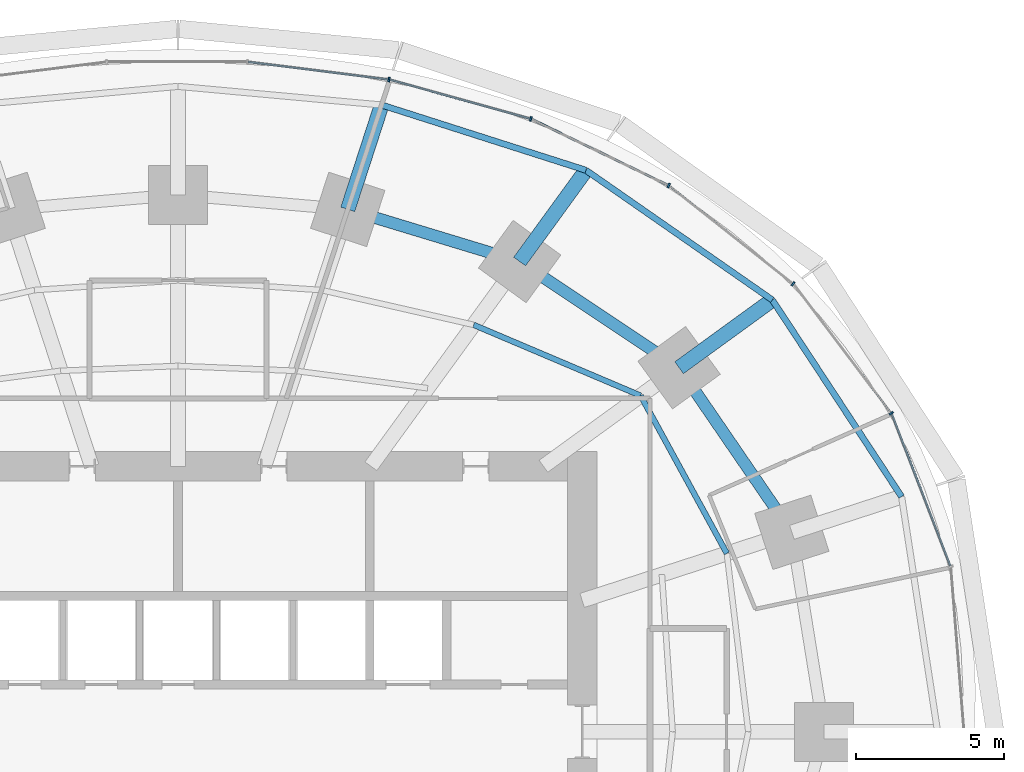
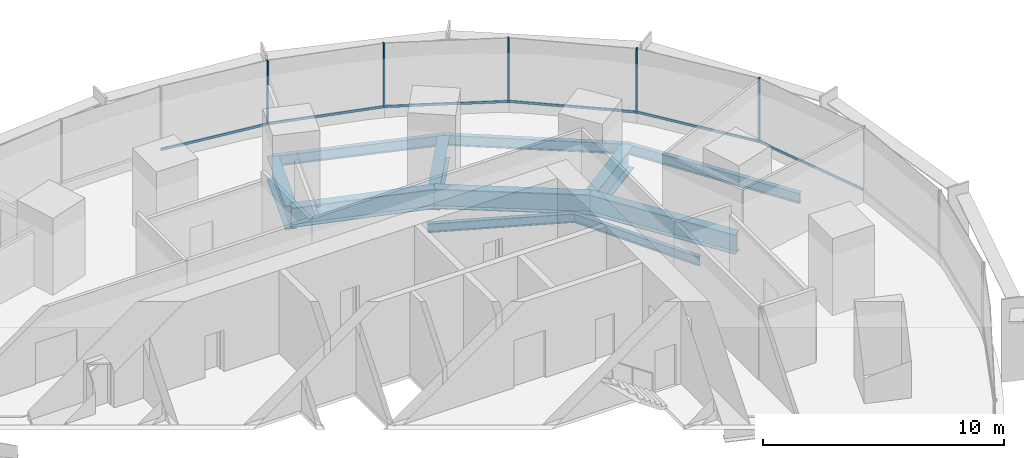
# One storey, part 9 of 15: 11 beams, 11 members, 2 elements without a shape of their own.
"""IFC4 building model written with IfcOpenShell, lengths in metres."""

from ifc_helpers import new_model, si_unit, direction, frame, origin, origin_2d, place, context, subcontext, project, spatial, rectangle, i_section, extrude, material, material_profile, profile_set, type_object, element, aggregate, save


model = new_model("IFC4")

# Units and contexts
model_context = context("Model", 3, precision=1e-05, world=origin(), true_north=direction((0.0, 1.0)))
body_context = subcontext(model_context, "Body", "Model", "MODEL_VIEW")
ifc_project = project(units=[si_unit("LENGTHUNIT", "METRE"), si_unit("AREAUNIT", "SQUARE_METRE"), si_unit("VOLUMEUNIT", "CUBIC_METRE"), si_unit("PLANEANGLEUNIT", "RADIAN"), si_unit("MASSUNIT", "GRAM", prefix="KILO")], contexts=[model_context])

# Site, building, storey
site_placement = place(None, origin())
site = spatial("IfcSite", under=ifc_project, at=site_placement, CompositionType="ELEMENT")
building_placement = place(site_placement, origin())
building = spatial("IfcBuilding", under=site, at=building_placement, Name="Marramba Exchange Tower", CompositionType="ELEMENT")
storey_placement = place(building_placement, frame((0.0, 0.0, 74.199951171875)))
storey = spatial("IfcBuildingStorey", under=building, at=storey_placement, Name="L17", CompositionType="ELEMENT", Elevation=74.199951171875)

# Beams
ifc_material_1 = material(Name="Steel AS/NZS 3679.2 grade 300", Category="steel")
ifc_material_profile_1 = material_profile(ifc_material_1, i_section(OverallWidth=0.5, OverallDepth=1.199951171875, WebThickness=0.01611328125, FlangeThickness=0.0400390625, at=origin_2d()), Name="1200WB455")
ifc_profile_set_1 = profile_set([ifc_material_profile_1], Name="Steel AS/NZS 3679.2 grade 300")
beam_type_1 = type_object("IfcBeamType", Name="Cantilever girder 1200WB455", PredefinedType="BEAM", material=ifc_profile_set_1)
beam_1_placement = place(storey_placement, frame((16.98583984375, 12.3408203125, -0.760009765625), z_axis=(0.808987260856, 0.587826174793, 0.0), x_axis=(-0.587826174793, 0.808987260856, 0.0)))
element("IfcBeam", 1, at=beam_1_placement, inside=storey, type_object=beam_type_1, Name="Cantilever girder L17 TC03", PredefinedType="BEAM", context=body_context, shape_type="SweptSolid", body=[
    extrude(i_section(OverallWidth=0.5, OverallDepth=1.199951171875, WebThickness=0.01611328125, FlangeThickness=0.0400390625, at=origin_2d()), origin(), (0.0, 0.0, 1.0), 3.90771484375),
])
beam_2_placement = place(storey_placement, frame((11.581298828125, 15.9404296875, -0.760009765625), z_axis=(0.587795827483, 0.809009310944, 0.0), x_axis=(-0.809009310944, 0.587795827483, 0.0)))
element("IfcBeam", 2, at=beam_2_placement, inside=storey, type_object=beam_type_1, Name="Cantilever girder L17 TC04", PredefinedType="BEAM", context=body_context, shape_type="SweptSolid", body=[
    extrude(i_section(OverallWidth=0.5, OverallDepth=1.199951171875, WebThickness=0.01611328125, FlangeThickness=0.0400390625, at=origin_2d()), origin(), (0.0, 0.0, 1.0), 3.82421875),
])
beam_3_placement = place(storey_placement, frame((5.75390625, 17.70849609375, -0.760009765625), z_axis=(0.308973290646, 0.951070715387, 0.0), x_axis=(-0.951070715387, 0.308973290646, 0.0)))
element("IfcBeam", 3, at=beam_3_placement, inside=storey, type_object=beam_type_1, Name="Cantilever girder L17 TC05", PredefinedType="BEAM", context=body_context, shape_type="SweptSolid", body=[
    extrude(i_section(OverallWidth=0.5, OverallDepth=1.199951171875, WebThickness=0.01611328125, FlangeThickness=0.0400390625, at=origin_2d()), origin(), (0.0, 0.0, 1.0), 3.72021484375),
])
ifc_material_2 = material(Name="Steel AS/NZS 3679.1 grade 300", Category="steel")
ifc_material_profile_2 = material_profile(ifc_material_2, i_section(OverallWidth=0.18994140625, OverallDepth=0.4541015625, WebThickness=0.008544921875, FlangeThickness=0.0126953125, FilletRadius=0.011474609375, at=origin_2d()), Name="460UB67.1")
ifc_profile_set_2 = profile_set([ifc_material_profile_2], Name="Steel AS/NZS 3679.1 grade 300")
beam_type_2 = type_object("IfcBeamType", Name="Floor joist 460UB67.1", PredefinedType="JOIST", material=ifc_profile_set_2)
beam_4_placement = place(storey_placement, frame((18.60546875, 6.04541015625, -0.386962890625), z_axis=(-0.479584443791, 0.877495732909, 0.0), x_axis=(-0.877495732909, -0.479584443791, 0.0)))
element("IfcBeam", 4, at=beam_4_placement, inside=storey, type_object=beam_type_2, Name="Joist L17 bay 02 row 2", PredefinedType="JOIST", context=body_context, shape_type="SweptSolid", body=[
    extrude(i_section(OverallWidth=0.18994140625, OverallDepth=0.4541015625, WebThickness=0.008544921875, FlangeThickness=0.0126953125, FilletRadius=0.011474609375, at=origin_2d()), origin(), (0.0, 0.0, 1.0), 6.094970703125),
])
beam_5_placement = place(storey_placement, frame((15.682373046875, 11.393798828125, -0.386962890625), z_axis=(-0.920674336375, 0.390331610738, 0.0), x_axis=(-0.390331610738, -0.920674336375, 0.0)))
element("IfcBeam", 5, at=beam_5_placement, inside=storey, type_object=beam_type_2, Name="Joist L17 bay 03 row 2", PredefinedType="JOIST", context=body_context, shape_type="SweptSolid", body=[
    extrude(i_section(OverallWidth=0.18994140625, OverallDepth=0.4541015625, WebThickness=0.008544921875, FlangeThickness=0.0126953125, FilletRadius=0.011474609375, at=origin_2d()), origin(), (0.0, 0.0, 1.0), 6.1484375),
])
ifc_material_profile_3 = material_profile(ifc_material_1, i_section(OverallWidth=0.39990234375, OverallDepth=1.0, WebThickness=0.01611328125, FlangeThickness=0.031982421875, at=origin_2d()), Name="1000WB322")
ifc_profile_set_3 = profile_set([ifc_material_profile_3], Name="Steel AS/NZS 3679.2 grade 300")
beam_type_3 = type_object("IfcBeamType", Name="Ring beam 1000WB322", PredefinedType="SPANDREL", material=ifc_profile_set_3)
beam_6_placement = place(storey_placement, frame((20.808349609375, 6.760986328125, -0.659912109375), z_axis=(-0.56516002054, 0.824981303535, 0.0), x_axis=(-0.824981303535, -0.56516002054, 0.0)))
element("IfcBeam", 6, at=beam_6_placement, inside=storey, type_object=beam_type_3, Name="Ring beam L17 TC02-TC03", PredefinedType="SPANDREL", context=body_context, shape_type="SweptSolid", body=[
    extrude(i_section(OverallWidth=0.39990234375, OverallDepth=1.0, WebThickness=0.01611328125, FlangeThickness=0.031982421875, at=origin_2d()), origin(), (0.0, 0.0, 1.0), 6.763671875),
])
beam_7_placement = place(storey_placement, frame((16.98583984375, 12.3408203125, -0.659912109375), z_axis=(-0.832293151443, 0.554335737673, 0.0), x_axis=(-0.554335737673, -0.832293151443, 0.0)))
element("IfcBeam", 7, at=beam_7_placement, inside=storey, type_object=beam_type_3, Name="Ring beam L17 TC03-TC04", PredefinedType="SPANDREL", context=body_context, shape_type="SweptSolid", body=[
    extrude(i_section(OverallWidth=0.39990234375, OverallDepth=1.0, WebThickness=0.01611328125, FlangeThickness=0.031982421875, at=origin_2d()), origin(), (0.0, 0.0, 1.0), 6.49365234375),
])
beam_8_placement = place(storey_placement, frame((11.581298828125, 15.9404296875, -0.659912109375), z_axis=(-0.956924542524, 0.290336735387, 0.0), x_axis=(-0.290336735387, -0.956924542524, 0.0)))
element("IfcBeam", 8, at=beam_8_placement, inside=storey, type_object=beam_type_3, Name="Ring beam L17 TC04-TC05", PredefinedType="SPANDREL", context=body_context, shape_type="SweptSolid", body=[
    extrude(i_section(OverallWidth=0.39990234375, OverallDepth=1.0, WebThickness=0.01611328125, FlangeThickness=0.031982421875, at=origin_2d()), origin(), (0.0, 0.0, 1.0), 6.089599609375),
])
ifc_material_profile_4 = material_profile(ifc_material_2, i_section(OverallWidth=0.208984375, OverallDepth=0.528076171875, WebThickness=0.009521484375, FlangeThickness=0.01318359375, FilletRadius=0.013916015625, at=origin_2d()), Name="530UB82.0")
ifc_profile_set_4 = profile_set([ifc_material_profile_4], Name="Steel AS/NZS 3679.1 grade 300")
beam_type_4 = type_object("IfcBeamType", Name="Slab edge beam 530UB82.0", PredefinedType="SPANDREL", material=ifc_profile_set_4)
beam_9_placement = place(storey_placement, frame((24.528564453125, 7.9697265625, -0.424072265625), z_axis=(-0.549123544095, 0.835741188001, 0.0), x_axis=(-0.835741188001, -0.549123544095, 0.0)))
element("IfcBeam", 9, at=beam_9_placement, inside=storey, type_object=beam_type_4, Name="Slab edge beam L17 TC02-TC03", PredefinedType="SPANDREL", context=body_context, shape_type="SweptSolid", body=[
    extrude(i_section(OverallWidth=0.208984375, OverallDepth=0.528076171875, WebThickness=0.009521484375, FlangeThickness=0.01318359375, FilletRadius=0.013916015625, at=origin_2d()), origin(), (0.0, 0.0, 1.0), 7.978759765625),
])
beam_10_placement = place(storey_placement, frame((20.147216796875, 14.637939453125, -0.424072265625), z_axis=(-0.820842487183, 0.571154629882, 0.0), x_axis=(-0.571154629882, -0.820842487183, 0.0)))
element("IfcBeam", 10, at=beam_10_placement, inside=storey, type_object=beam_type_4, Name="Slab edge beam L17 TC03-TC04", PredefinedType="SPANDREL", context=body_context, shape_type="SweptSolid", body=[
    extrude(i_section(OverallWidth=0.208984375, OverallDepth=0.528076171875, WebThickness=0.009521484375, FlangeThickness=0.01318359375, FilletRadius=0.013916015625, at=origin_2d()), origin(), (0.0, 0.0, 1.0), 7.697021484375),
])
beam_11_placement = place(storey_placement, frame((13.8291015625, 19.0341796875, -0.424072265625), z_axis=(-0.952577642997, 0.304295635957, 0.0), x_axis=(-0.304295635957, -0.952577642997, 0.0)))
element("IfcBeam", 11, at=beam_11_placement, inside=storey, type_object=beam_type_4, Name="Slab edge beam L17 TC04-TC05", PredefinedType="SPANDREL", context=body_context, shape_type="SweptSolid", body=[
    extrude(i_section(OverallWidth=0.208984375, OverallDepth=0.528076171875, WebThickness=0.009521484375, FlangeThickness=0.01318359375, FilletRadius=0.013916015625, at=origin_2d()), origin(), (0.0, 0.0, 1.0), 7.2705078125),
])

# Curtain wall, members
ifc_material_3 = material(Name="Aluminium framing, bronze anodised", Category="aluminium")
curtain_wall_type = type_object("IfcCurtainWallType", Name="Trading floor ribbon curtain wall", PredefinedType="USERDEFINED", material=ifc_material_3)
curtain_wall_1_placement = place(storey_placement, origin())
curtain_wall_1 = element("IfcCurtainWall", 12, at=curtain_wall_1_placement, inside=storey, type_object=curtain_wall_type, Name="Curtain wall CW3 L17 F01-F05", ObjectType="RIBBON CURTAIN WALL", PredefinedType="USERDEFINED")
ifc_material_4 = material(Name="Aluminium mullion, bronze anodised", Category="aluminium")
ifc_material_profile_5 = material_profile(ifc_material_4, rectangle(XDim=0.159912109375, YDim=0.06005859375, at=origin_2d()), Name="CW3 mullion 60x160")
ifc_profile_set_5 = profile_set([ifc_material_profile_5], Name="Aluminium mullion, bronze anodised")
member_type_1 = type_object("IfcMemberType", Name="Trading floor ribbon curtain wall mullion", PredefinedType="MULLION", material=ifc_profile_set_5)
member_1_placement = place(storey_placement, frame((24.178466796875, 10.796875, 0.800048828125), z_axis=(0.0, 0.0, 1.0), x_axis=(-0.797748922445, -0.602989765036, 0.0)))
member_1 = element("IfcMember", 13, at=member_1_placement, type_object=member_type_1, Name="CW3 mullion 1", PredefinedType="MULLION", context=body_context, shape_type="SweptSolid", body=[
    extrude(rectangle(XDim=0.159912109375, YDim=0.06005859375, at=origin_2d()), origin(), (0.0, 0.0, 1.0), 3.239990234375),
])
member_2_placement = place(storey_placement, frame((20.851806640625, 15.185546875, 0.800048828125), z_axis=(0.0, 0.0, 1.0), x_axis=(-0.620649730166, -0.784087949432, 0.0)))
member_2 = element("IfcMember", 14, at=member_2_placement, type_object=member_type_1, Name="CW3 mullion 1", PredefinedType="MULLION", context=body_context, shape_type="SweptSolid", body=[
    extrude(rectangle(XDim=0.159912109375, YDim=0.06005859375, at=origin_2d()), origin(), (0.0, 0.0, 1.0), 3.239990234375),
])
member_3_placement = place(storey_placement, frame((16.63330078125, 18.516357421875, 0.800048828125), z_axis=(0.0, 0.0, 1.0), x_axis=(-0.43596538664, -0.899963433508, 0.0)))
member_3 = element("IfcMember", 15, at=member_3_placement, type_object=member_type_1, Name="CW3 mullion 1", PredefinedType="MULLION", context=body_context, shape_type="SweptSolid", body=[
    extrude(rectangle(XDim=0.159912109375, YDim=0.06005859375, at=origin_2d()), origin(), (0.0, 0.0, 1.0), 3.239990234375),
])

curtain_wall_2_placement = place(storey_placement, origin())
curtain_wall_2 = element("IfcCurtainWall", 16, at=curtain_wall_2_placement, inside=storey, type_object=curtain_wall_type, Name="Curtain wall CW3 L17 F06-F10", ObjectType="RIBBON CURTAIN WALL", PredefinedType="USERDEFINED")
member_4_placement = place(storey_placement, frame((11.96044921875, 20.774169921875, 0.800048828125), z_axis=(0.0, 0.0, 1.0), x_axis=(-0.267808735815, -0.963472096649, 0.0)))
member_4 = element("IfcMember", 17, at=member_4_placement, type_object=member_type_1, Name="CW3 mullion 1", PredefinedType="MULLION", context=body_context, shape_type="SweptSolid", body=[
    extrude(rectangle(XDim=0.159912109375, YDim=0.06005859375, at=origin_2d()), origin(), (0.0, 0.0, 1.0), 3.239990234375),
])
member_5_placement = place(storey_placement, frame((7.15185546875, 22.106201171875, 0.800048828125), z_axis=(0.0, 0.0, 1.0), x_axis=(-0.124872723099, -0.992172768738, 0.0)))
member_5 = element("IfcMember", 18, at=member_5_placement, type_object=member_type_1, Name="CW3 mullion 1", PredefinedType="MULLION", context=body_context, shape_type="SweptSolid", body=[
    extrude(rectangle(XDim=0.159912109375, YDim=0.06005859375, at=origin_2d()), origin(), (0.0, 0.0, 1.0), 3.239990234375),
])

# Member
ifc_material_5 = material(Name="Aluminium transom, bronze anodised", Category="aluminium")
ifc_material_profile_6 = material_profile(ifc_material_5, rectangle(XDim=0.06005859375, YDim=0.1201171875, at=origin_2d()), Name="CW3 transom 60x120")
ifc_profile_set_6 = profile_set([ifc_material_profile_6], Name="Aluminium transom, bronze anodised")
member_type_2 = type_object("IfcMemberType", Name="Trading floor ribbon curtain wall transom", PredefinedType="USERDEFINED", material=ifc_profile_set_6)
member_6_placement = place(storey_placement, frame((26.179931640625, 5.625244140625, 0.830078125), z_axis=(-0.359533581349, 0.933132147063, 0.0), x_axis=(-0.933132147063, -0.359533581349, 0.0)))
member_6 = element("IfcMember", 19, at=member_6_placement, type_object=member_type_2, Name="CW3 sill transom", ObjectType="TRANSOM", PredefinedType="USERDEFINED", context=body_context, shape_type="SweptSolid", body=[
    extrude(rectangle(XDim=0.06005859375, YDim=0.1201171875, at=origin_2d()), origin(), (0.0, 0.0, 1.0), 5.5166015625),
])

member_7_placement = place(storey_placement, frame((24.160400390625, 10.82080078125, 0.830078125), z_axis=(-0.602985866158, 0.797751869452, 0.0), x_axis=(-0.797751869452, -0.602985866158, 0.0)))
member_7 = element("IfcMember", 20, at=member_7_placement, type_object=member_type_2, Name="CW3 sill transom", ObjectType="TRANSOM", PredefinedType="USERDEFINED", context=body_context, shape_type="SweptSolid", body=[
    extrude(rectangle(XDim=0.06005859375, YDim=0.1201171875, at=origin_2d()), origin(), (0.0, 0.0, 1.0), 5.44775390625),
])

member_8_placement = place(storey_placement, frame((20.828369140625, 15.2041015625, 0.830078125), z_axis=(-0.784097975735, 0.620637063385, 0.0), x_axis=(-0.620637063385, -0.784097975735, 0.0)))
member_8 = element("IfcMember", 21, at=member_8_placement, type_object=member_type_2, Name="CW3 sill transom", ObjectType="TRANSOM", PredefinedType="USERDEFINED", context=body_context, shape_type="SweptSolid", body=[
    extrude(rectangle(XDim=0.06005859375, YDim=0.1201171875, at=origin_2d()), origin(), (0.0, 0.0, 1.0), 5.315673828125),
])

member_9_placement = place(storey_placement, frame((16.6064453125, 18.529296875, 0.830078125), z_axis=(-0.89995331781, 0.43598626786, 0.0), x_axis=(-0.43598626786, -0.89995331781, 0.0)))
member_9 = element("IfcMember", 22, at=member_9_placement, type_object=member_type_2, Name="CW3 sill transom", ObjectType="TRANSOM", PredefinedType="USERDEFINED", context=body_context, shape_type="SweptSolid", body=[
    extrude(rectangle(XDim=0.06005859375, YDim=0.1201171875, at=origin_2d()), origin(), (0.0, 0.0, 1.0), 5.13037109375),
])

aggregate(curtain_wall_1, [member_6, member_1, member_7, member_2, member_8, member_3, member_9])

member_10_placement = place(storey_placement, frame((11.931396484375, 20.7822265625, 0.830078125), z_axis=(-0.963468938163, 0.267820098565, 0.0), x_axis=(-0.267820098565, -0.963468938163, 0.0)))
member_10 = element("IfcMember", 23, at=member_10_placement, type_object=member_type_2, Name="CW3 sill transom", ObjectType="TRANSOM", PredefinedType="USERDEFINED", context=body_context, shape_type="SweptSolid", body=[
    extrude(rectangle(XDim=0.06005859375, YDim=0.1201171875, at=origin_2d()), origin(), (0.0, 0.0, 1.0), 4.929931640625),
])

member_11_placement = place(storey_placement, frame((7.1220703125, 22.10986328125, 0.830078125), z_axis=(-0.99216810728, 0.124909755012, 0.0), x_axis=(-0.124909755012, -0.99216810728, 0.0)))
member_11 = element("IfcMember", 24, at=member_11_placement, type_object=member_type_2, Name="CW3 sill transom", ObjectType="TRANSOM", PredefinedType="USERDEFINED", context=body_context, shape_type="SweptSolid", body=[
    extrude(rectangle(XDim=0.06005859375, YDim=0.1201171875, at=origin_2d()), origin(), (0.0, 0.0, 1.0), 4.77294921875),
])

aggregate(curtain_wall_2, [member_4, member_10, member_5, member_11])

save(model, "model.ifc")
